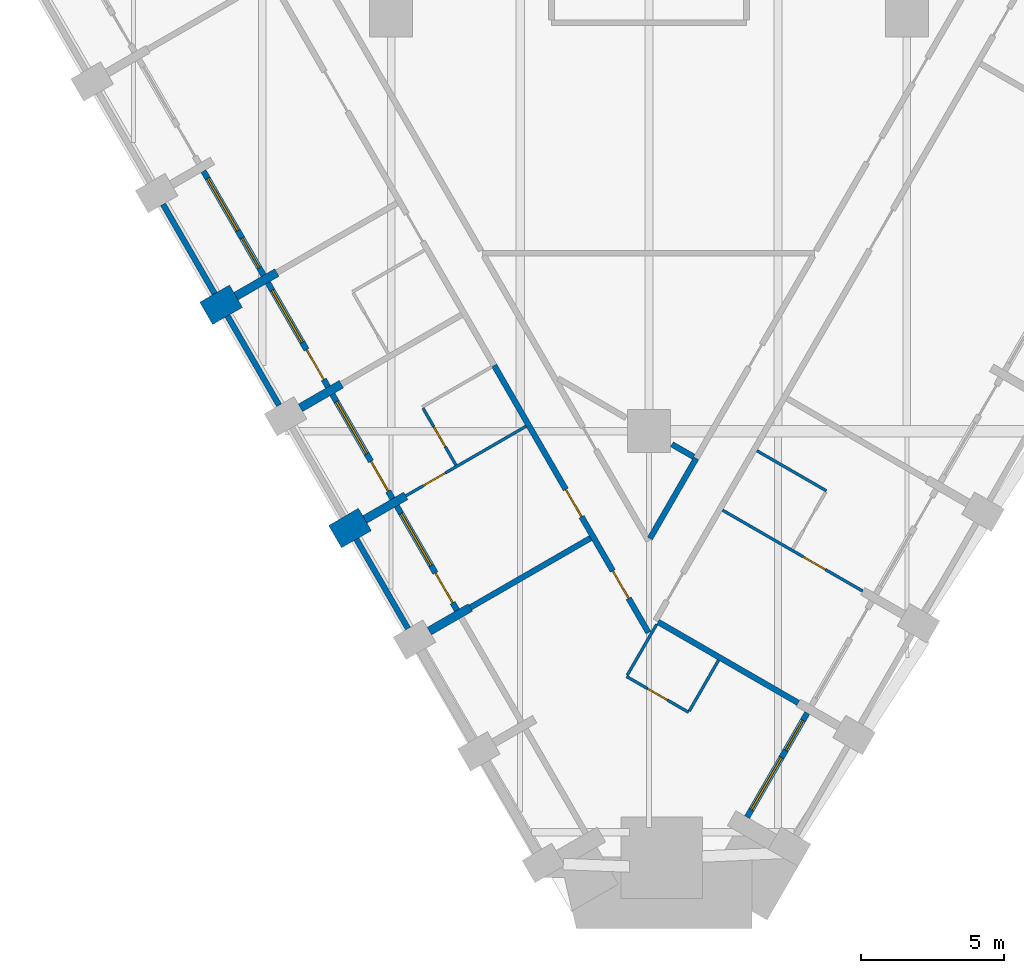
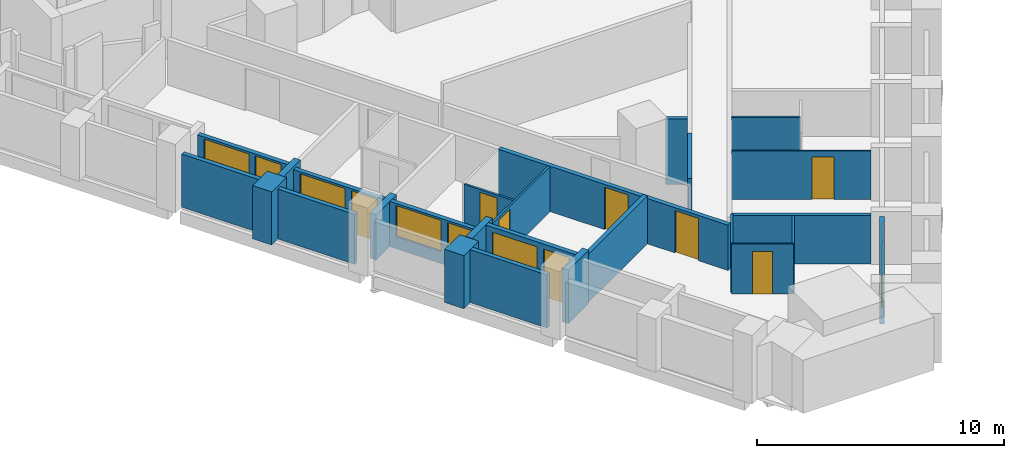
# One storey, part 3 of 11: 26 walls, 11 doors, 5 windows, 16 openings.
"""IFC4 building model written with IfcOpenShell, lengths in metres."""

from ifc_helpers import new_model, si_unit, direction, frame, frame_2d, origin, place, context, subcontext, project, spatial, rectangle, extrude, material, layer, layer_set, type_object, element, fill, save


model = new_model("IFC4")

# Units and contexts
model_context = context("Model", 3, precision=1e-05, world=origin(), true_north=direction((0.0, 1.0)))
body_context = subcontext(model_context, "Body", "Model", "MODEL_VIEW")
ifc_project = project(units=[si_unit("LENGTHUNIT", "METRE"), si_unit("AREAUNIT", "SQUARE_METRE"), si_unit("VOLUMEUNIT", "CUBIC_METRE"), si_unit("PLANEANGLEUNIT", "RADIAN"), si_unit("MASSUNIT", "GRAM", prefix="KILO")], contexts=[model_context])

# Site, building, storey
site_placement = place(None, origin())
site = spatial("IfcSite", under=ifc_project, at=site_placement, CompositionType="ELEMENT")
building_placement = place(site_placement, origin())
building = spatial("IfcBuilding", under=site, at=building_placement, Name="Calabash Gate Tower", CompositionType="ELEMENT")
storey_placement = place(building_placement, frame((0.0, 0.0, 125.800048828125)))
storey = spatial("IfcBuildingStorey", under=building, at=storey_placement, Name="L29", CompositionType="ELEMENT", Elevation=125.800048828125)

# Walls
ifc_material_1 = material(Name="Terracotta brick masonry, exposed face", Category="masonry")
ifc_layer_1 = layer(ifc_material_1, 1.199951171875)
ifc_layer_set_1 = layer_set([ifc_layer_1], Name="Brick end wall 1200")
wall_type_1 = type_object("IfcWallType", Name="Brick end wall 1200", PredefinedType="SOLIDWALL", material=ifc_layer_set_1)
for number, where, z_axis, x_axis, name in (
    (1, (-15.457763671875, -7.89111328125, 0.0), (0.0, 0.0, 1.0), (0.866043267704, 0.499969057507, 0.0), "Brick pier S08 SW0.5"),
    (2, (-10.957763671875, -15.685302734375, 0.0), (0.0, 0.0, 1.0), (0.866043267704, 0.499969057507, 0.0), "Brick pier S08 SW0.7"),
):
    element("IfcWall", number, at=place(storey_placement, frame(where, z_axis=z_axis, x_axis=x_axis)), inside=storey, type_object=wall_type_1, Name=name, PredefinedType="SOLIDWALL", context=body_context, shape_type="SweptSolid", body=[
        extrude(rectangle(XDim=1.19970703125, YDim=0.89990234375, at=frame_2d((0.599853515625, 0.0))), origin(), (0.0, 0.0, 1.0), 2.6298828125),
    ])
ifc_material_2 = material(Name="Terracotta brick masonry, exposed face", Category="masonry")
ifc_layer_2 = layer(ifc_material_2, 0.300048828125)
ifc_layer_set_2 = layer_set([ifc_layer_2], Name="Brick loggia cheek wall 300")
wall_type_2 = type_object("IfcWallType", Name="Brick loggia cheek wall 300", PredefinedType="SOLIDWALL", material=ifc_layer_set_2)
wall_1_placement = place(storey_placement, frame((-14.418701171875, -7.291259765625, 0.0), z_axis=(0.0, 0.0, 1.0), x_axis=(0.865976140824, 0.500085316245, 0.0)))
element("IfcWall", 3, at=wall_1_placement, inside=storey, type_object=wall_type_2, Name="Loggia cheek S08 SW0.5", PredefinedType="SOLIDWALL", context=body_context, shape_type="SweptSolid", body=[
    extrude(rectangle(XDim=1.650146484375, YDim=0.300048828125, at=frame_2d((0.8251953125, 0.0))), origin(), (0.0, 0.0, 1.0), 2.384033203125),
])
wall_2_placement = place(storey_placement, frame((-12.168212890625, -11.188232421875, 0.0), z_axis=(0.0, 0.0, 1.0), x_axis=(0.865966208357, 0.500102515474, 0.0)))
element("IfcWall", 4, at=wall_2_placement, inside=storey, type_object=wall_type_2, Name="Loggia cheek S08 SW0.6", PredefinedType="SOLIDWALL", context=body_context, shape_type="SweptSolid", body=[
    extrude(rectangle(XDim=1.649658203125, YDim=0.300048828125, at=frame_2d((0.82470703125, 0.0))), origin(), (0.0, 0.0, 1.0), 2.24169921875),
])
wall_3_placement = place(storey_placement, frame((-9.918701171875, -15.08544921875, 0.0), z_axis=(0.0, 0.0, 1.0), x_axis=(0.866040211805, 0.499974350878, 0.0)))
element("IfcWall", 5, at=wall_3_placement, inside=storey, type_object=wall_type_2, Name="Loggia cheek S08 SW0.7", PredefinedType="SOLIDWALL", context=body_context, shape_type="SweptSolid", body=[
    extrude(rectangle(XDim=1.64990234375, YDim=0.300048828125, at=frame_2d((0.824951171875, 0.0))), origin(), (0.0, 0.0, 1.0), 2.64990234375),
])
wall_4_placement = place(storey_placement, frame((-6.23974609375, -18.157470703125, 0.0), z_axis=(0.0, 0.0, 1.0), x_axis=(-0.866030301974, -0.499991515992, 0.0)))
element("IfcWall", 6, at=wall_4_placement, inside=storey, type_object=wall_type_2, Name="Loggia cheek S08 SW0.8", PredefinedType="SOLIDWALL", context=body_context, shape_type="SweptSolid", body=[
    extrude(rectangle(XDim=1.6494140625, YDim=0.300048828125, at=frame_2d((0.82470703125, 0.0))), origin(), (0.0, 0.0, 1.0), 2.64990234375),
])
ifc_material_3 = material(Name="Gypsum board on steel studs, mineral wool", Category="steel")
ifc_layer_3 = layer(ifc_material_3, 0.10009765625)
ifc_layer_set_3 = layer_set([ifc_layer_3], Name="Partition 100 gypsum board")
wall_type_3 = type_object("IfcWallType", Name="Partition 100 gypsum board", PredefinedType="PARTITIONING", material=ifc_layer_set_3)
wall_5_placement = place(storey_placement, frame((1.4052734375, -21.77197265625, 0.0), z_axis=(0.0, 0.0, 1.0), x_axis=(0.499265284884, 0.866449176415, 0.0)))
element("IfcWall", 7, at=wall_5_placement, inside=storey, type_object=wall_type_3, Name="Partition", PredefinedType="PARTITIONING", context=body_context, shape_type="SweptSolid", body=[
    extrude(rectangle(XDim=2.0498046875, YDim=0.10009765625, at=frame_2d((1.02490234375, 0.0))), origin(), (0.0, 0.0, 1.0), 2.384033203125),
])

# Wall, opening, door
wall_6_placement = place(storey_placement, frame((-0.784912109375, -20.565185546875, 0.0), z_axis=(0.0, 0.0, 1.0), x_axis=(0.866022959057, -0.500004234368, 0.0)))
wall_6 = element("IfcWall", 8, at=wall_6_placement, inside=storey, type_object=wall_type_3, Name="Partition", PredefinedType="PARTITIONING", context=body_context, shape_type="SweptSolid", body=[
    extrude(rectangle(XDim=2.5, YDim=0.10009765625, at=frame_2d((1.25, 0.0))), origin(), (0.0, 0.0, 1.0), 2.473388671875),
])
opening_1_placement = place(wall_6_placement, frame((0.85009765625, 0.0, 0.0)))
opening_1 = element("IfcOpeningElement", 9, at=opening_1_placement, cuts=wall_6, Name="Opening 28-30-015", PredefinedType="OPENING", context=body_context, shape_type="SweptSolid", body=[
    extrude(rectangle(XDim=0.800048828125, YDim=2.10009765625, at=frame_2d((0.39990234375, 1.050048828125))), frame((0.0, 0.06005859375, 0.0), z_axis=(0.0, -1.0, 0.0), x_axis=(1.0, 0.0, 0.0)), (0.0, 0.0, 1.0), 0.1201171875),
])
ifc_material_4 = material(Name="Painted timber door", Category="wood")
door_type_1 = type_object("IfcDoorType", Name="GD5 En-suite door 800x2100", OperationType="NOTDEFINED", PredefinedType="DOOR", material=ifc_material_4)
door_1_placement = place(opening_1_placement, origin())
door_1 = element("IfcDoor", 10, at=door_1_placement, inside=storey, type_object=door_type_1, Name="En-suite door", OperationType="SINGLE_SWING_LEFT", OverallHeight=2.10009765625, OverallWidth=0.800048828125, PredefinedType="DOOR", context=body_context, shape_type="SweptSolid", body=[
    extrude(rectangle(XDim=0.800048828125, YDim=2.10009765625, at=frame_2d((0.39990234375, 1.050048828125))), frame((0.0, 0.02490234375, 0.0), z_axis=(0.0, -1.0, 0.0), x_axis=(1.0, 0.0, 0.0)), (0.0, 0.0, 1.0), 0.050048828125),
])
fill(opening_1, door_1)

# Wall
wall_7_placement = place(storey_placement, frame((-0.759765625, -20.52197265625, 0.0), z_axis=(0.0, 0.0, 1.0), x_axis=(0.500646589026, 0.865651773461, 0.0)))
element("IfcWall", 11, at=wall_7_placement, inside=storey, type_object=wall_type_3, Name="Partition", PredefinedType="PARTITIONING", context=body_context, shape_type="SweptSolid", body=[
    extrude(rectangle(XDim=2.050048828125, YDim=0.10009765625, at=frame_2d((1.02490234375, 0.0))), origin(), (0.0, 0.0, 1.0), 2.473388671875),
])

# Wall, opening, door
wall_8_placement = place(storey_placement, frame((2.566162109375, -14.760498046875, 0.0), z_axis=(0.0, 0.0, 1.0), x_axis=(0.866019355129, -0.500010476433, 0.0)))
wall_8 = element("IfcWall", 12, at=wall_8_placement, inside=storey, type_object=wall_type_3, Name="Partition", PredefinedType="PARTITIONING", context=body_context, shape_type="SweptSolid", body=[
    extrude(rectangle(XDim=5.64990234375, YDim=0.10009765625, at=frame_2d((2.824951171875, 0.0))), origin(), (0.0, 0.0, 1.0), 2.384033203125),
])
opening_2_placement = place(wall_8_placement, frame((3.249755859375, 0.0, 0.0)))
opening_2 = element("IfcOpeningElement", 13, at=opening_2_placement, cuts=wall_8, Name="Opening 28-30-008", PredefinedType="OPENING", context=body_context, shape_type="SweptSolid", body=[
    extrude(rectangle(XDim=0.89990234375, YDim=2.10009765625, at=frame_2d((0.449951171875, 1.050048828125))), frame((0.0, 0.06005859375, 0.0), z_axis=(0.0, -1.0, 0.0), x_axis=(1.0, 0.0, 0.0)), (0.0, 0.0, 1.0), 0.1201171875),
])
ifc_material_5 = material(Name="Painted timber door", Category="wood")
door_type_2 = type_object("IfcDoorType", Name="GD7 Suite room door 900x2100", OperationType="NOTDEFINED", PredefinedType="DOOR", material=ifc_material_5)
door_2_placement = place(opening_2_placement, origin())
door_2 = element("IfcDoor", 14, at=door_2_placement, inside=storey, type_object=door_type_2, Name="Suite room door", OperationType="SINGLE_SWING_RIGHT", OverallHeight=2.10009765625, OverallWidth=0.89990234375, PredefinedType="DOOR", context=body_context, shape_type="SweptSolid", body=[
    extrude(rectangle(XDim=0.89990234375, YDim=2.10009765625, at=frame_2d((0.449951171875, 1.050048828125))), frame((0.0, 0.02490234375, 0.0), z_axis=(0.0, -1.0, 0.0), x_axis=(1.0, 0.0, 0.0)), (0.0, 0.0, 1.0), 0.050048828125),
])
fill(opening_2, door_2)

wall_9_placement = place(storey_placement, frame((-8.48974609375, -14.26025390625, 0.0), z_axis=(0.0, 0.0, 1.0), x_axis=(0.86557903767, 0.500772333047, 0.0)))
wall_9 = element("IfcWall", 15, at=wall_9_placement, inside=storey, type_object=wall_type_3, Name="Partition", PredefinedType="PARTITIONING", context=body_context, shape_type="SweptSolid", body=[
    extrude(rectangle(XDim=4.849853515625, YDim=0.10009765625, at=frame_2d((2.4248046875, 0.0))), origin(), (0.0, 0.0, 1.0), 2.24169921875),
])
opening_3_placement = place(wall_9_placement, frame((0.699951171875, 0.0, 0.0)))
opening_3 = element("IfcOpeningElement", 16, at=opening_3_placement, cuts=wall_9, Name="Opening 28-30-005", PredefinedType="OPENING", context=body_context, shape_type="SweptSolid", body=[
    extrude(rectangle(XDim=0.89990234375, YDim=2.10009765625, at=frame_2d((0.449951171875, 1.050048828125))), frame((0.0, 0.06005859375, 0.0), z_axis=(0.0, -1.0, 0.0), x_axis=(1.0, 0.0, 0.0)), (0.0, 0.0, 1.0), 0.1201171875),
])
door_3_placement = place(opening_3_placement, origin())
door_3 = element("IfcDoor", 17, at=door_3_placement, inside=storey, type_object=door_type_2, Name="Suite room door", OperationType="SINGLE_SWING_LEFT", OverallHeight=2.10009765625, OverallWidth=0.89990234375, PredefinedType="DOOR", context=body_context, shape_type="SweptSolid", body=[
    extrude(rectangle(XDim=0.89990234375, YDim=2.10009765625, at=frame_2d((0.449951171875, 1.050048828125))), frame((0.0, 0.02490234375, 0.0), z_axis=(0.0, -1.0, 0.0), x_axis=(1.0, 0.0, 0.0)), (0.0, 0.0, 1.0), 0.050048828125),
])
fill(opening_3, door_3)

# Wall
wall_10_placement = place(storey_placement, frame((3.764404296875, -12.685302734375, 0.0), z_axis=(0.0, 0.0, 1.0), x_axis=(0.866326367614, -0.499478352661, 0.0)))
element("IfcWall", 18, at=wall_10_placement, inside=storey, type_object=wall_type_3, Name="Partition", PredefinedType="PARTITIONING", context=body_context, shape_type="SweptSolid", body=[
    extrude(rectangle(XDim=2.7998046875, YDim=0.10009765625, at=frame_2d((1.39990234375, 0.0))), origin(), (0.0, 0.0, 1.0), 2.384033203125),
])

# Wall, opening, door
wall_11_placement = place(storey_placement, frame((-7.889404296875, -11.2001953125, 0.0), z_axis=(0.0, 0.0, 1.0), x_axis=(0.500697021662, -0.865622603967, 0.0)))
wall_11 = element("IfcWall", 19, at=wall_11_placement, inside=storey, type_object=wall_type_3, Name="Partition", PredefinedType="PARTITIONING", context=body_context, shape_type="SweptSolid", body=[
    extrude(rectangle(XDim=2.298095703125, YDim=0.10009765625, at=frame_2d((1.14892578125, 0.0))), origin(), (0.0, 0.0, 1.0), 2.24169921875),
])
opening_4_placement = place(wall_11_placement, frame((0.75, 0.0, 0.0)))
opening_4 = element("IfcOpeningElement", 20, at=opening_4_placement, cuts=wall_11, Name="Opening 28-30-006", PredefinedType="OPENING", context=body_context, shape_type="SweptSolid", body=[
    extrude(rectangle(XDim=0.800048828125, YDim=2.10009765625, at=frame_2d((0.39990234375, 1.050048828125))), frame((0.0, 0.06005859375, 0.0), z_axis=(0.0, -1.0, 0.0), x_axis=(1.0, 0.0, 0.0)), (0.0, 0.0, 1.0), 0.1201171875),
])
door_4_placement = place(opening_4_placement, origin())
door_4 = element("IfcDoor", 21, at=door_4_placement, inside=storey, type_object=door_type_1, Name="En-suite door", OperationType="SINGLE_SWING_LEFT", OverallHeight=2.10009765625, OverallWidth=0.800048828125, PredefinedType="DOOR", context=body_context, shape_type="SweptSolid", body=[
    extrude(rectangle(XDim=0.800048828125, YDim=2.10009765625, at=frame_2d((0.39990234375, 1.050048828125))), frame((0.0, 0.02490234375, 0.0), z_axis=(0.0, -1.0, 0.0), x_axis=(1.0, 0.0, 0.0)), (0.0, 0.0, 1.0), 0.050048828125),
])
fill(opening_4, door_4)

# Wall, openings, doors
ifc_material_6 = material(Name="Gypsum board on steel studs, mineral wool", Category="steel")
ifc_layer_4 = layer(ifc_material_6, 0.199951171875)
ifc_layer_set_4 = layer_set([ifc_layer_4], Name="Partition 200 gypsum board EI 60")
wall_type_4 = type_object("IfcWallType", Name="Partition 200 gypsum board EI 60", PredefinedType="PARTITIONING", material=ifc_layer_set_4)
wall_12_placement = place(storey_placement, frame((-5.404541015625, -9.7080078125, 0.0), z_axis=(0.0, 0.0, 1.0), x_axis=(0.500010215181, -0.866019505967, 0.0)))
wall_12 = element("IfcWall", 22, at=wall_12_placement, inside=storey, type_object=wall_type_4, Name="Partition", PredefinedType="PARTITIONING", context=body_context, shape_type="SweptSolid", body=[
    extrude(rectangle(XDim=10.771240234375, YDim=0.199951171875, at=frame_2d((5.3857421875, 0.0))), origin(), (0.0, 0.0, 1.0), 2.24169921875),
])
opening_5_placement = place(wall_12_placement, frame((5.0, 0.0, 0.0)))
opening_5 = element("IfcOpeningElement", 23, at=opening_5_placement, cuts=wall_12, Name="Opening 28-30-004", PredefinedType="OPENING", context=body_context, shape_type="SweptSolid", body=[
    extrude(rectangle(XDim=1.10009765625, YDim=2.10009765625, at=frame_2d((0.550048828125, 1.050048828125))), frame((0.0, 0.10986328125, 0.0), z_axis=(0.0, -1.0, 0.0), x_axis=(1.0, 0.0, 0.0)), (0.0, 0.0, 1.0), 0.219970703125),
])
opening_6_placement = place(wall_12_placement, frame((8.28564453125, 0.0, 0.0)))
opening_6 = element("IfcOpeningElement", 24, at=opening_6_placement, cuts=wall_12, Name="Opening 28-30-024", PredefinedType="OPENING", context=body_context, shape_type="SweptSolid", body=[
    extrude(rectangle(XDim=1.10009765625, YDim=2.10009765625, at=frame_2d((0.550048828125, 1.050048828125))), frame((0.0, 0.10986328125, 0.0), z_axis=(0.0, -1.0, 0.0), x_axis=(1.0, 0.0, 0.0)), (0.0, 0.0, 1.0), 0.219970703125),
])
ifc_material_7 = material(Name="Steel fire door set with fire-resisting glazing", Category="steel")
door_type_3 = type_object("IfcDoorType", Name="GD3 Suite entrance door 1100x2100", OperationType="NOTDEFINED", PredefinedType="DOOR", material=ifc_material_7)
door_5_placement = place(opening_5_placement, origin())
door_5 = element("IfcDoor", 25, at=door_5_placement, inside=storey, type_object=door_type_3, Name="Suite entrance door", OperationType="SINGLE_SWING_LEFT", OverallHeight=2.10009765625, OverallWidth=1.10009765625, PredefinedType="DOOR", context=body_context, shape_type="SweptSolid", body=[
    extrude(rectangle(XDim=1.10009765625, YDim=2.10009765625, at=frame_2d((0.550048828125, 1.050048828125))), frame((0.0, 0.02490234375, 0.0), z_axis=(0.0, -1.0, 0.0), x_axis=(1.0, 0.0, 0.0)), (0.0, 0.0, 1.0), 0.050048828125),
])
fill(opening_5, door_5)
door_6_placement = place(opening_6_placement, origin())
door_6 = element("IfcDoor", 26, at=door_6_placement, inside=storey, type_object=door_type_3, Name="Suite entrance door", OperationType="SINGLE_SWING_LEFT", OverallHeight=2.10009765625, OverallWidth=1.10009765625, PredefinedType="DOOR", context=body_context, shape_type="SweptSolid", body=[
    extrude(rectangle(XDim=1.10009765625, YDim=2.10009765625, at=frame_2d((0.550048828125, 1.050048828125))), frame((0.0, 0.02490234375, 0.0), z_axis=(0.0, -1.0, 0.0), x_axis=(1.0, 0.0, 0.0)), (0.0, 0.0, 1.0), 0.050048828125),
])
fill(opening_6, door_6)

# Walls
wall_13_placement = place(storey_placement, frame((0.314453125, -18.661376953125, 0.0), z_axis=(0.0, 0.0, 1.0), x_axis=(0.866027263711, -0.4999967785, 0.0)))
element("IfcWall", 27, at=wall_13_placement, inside=storey, type_object=wall_type_4, Name="Partition", PredefinedType="PARTITIONING", context=body_context, shape_type="SweptSolid", body=[
    extrude(rectangle(XDim=5.6494140625, YDim=0.199951171875, at=frame_2d((2.82470703125, 0.0))), origin(), (0.0, 0.0, 1.0), 2.384033203125),
])
wall_14_placement = place(storey_placement, frame((-6.239501953125, -18.157958984375, 0.0), z_axis=(0.0, 0.0, 1.0), x_axis=(0.866175528751, 0.499739885733, 0.0)))
element("IfcWall", 28, at=wall_14_placement, inside=storey, type_object=wall_type_4, Name="Partition", PredefinedType="PARTITIONING", context=body_context, shape_type="SweptSolid", body=[
    extrude(rectangle(XDim=4.849609375, YDim=0.199951171875, at=frame_2d((2.4248046875, 0.0))), origin(), (0.0, 0.0, 1.0), 2.384033203125),
])
wall_15_placement = place(storey_placement, frame((0.03271484375, -15.747802734375, 0.0), z_axis=(0.0, 0.0, 1.0), x_axis=(0.50002566634, 0.866010584809, 0.0)))
element("IfcWall", 29, at=wall_15_placement, inside=storey, type_object=wall_type_4, Name="Partition", PredefinedType="PARTITIONING", context=body_context, shape_type="SweptSolid", body=[
    extrude(rectangle(XDim=3.229248046875, YDim=0.199951171875, at=frame_2d((1.61474609375, 0.0))), origin(), (0.0, 0.0, 1.0), 2.473388671875),
])
wall_16_placement = place(storey_placement, frame((0.800048828125, -12.461669921875, 0.0), z_axis=(0.0, 0.0, 1.0), x_axis=(0.866903294585, -0.498476356347, 0.0)))
element("IfcWall", 30, at=wall_16_placement, inside=storey, type_object=wall_type_4, Name="Partition", PredefinedType="PARTITIONING", context=body_context, shape_type="SweptSolid", body=[
    extrude(rectangle(XDim=0.876708984375, YDim=0.199951171875, at=frame_2d((0.4384765625, 0.0))), origin(), (0.0, 0.0, 1.0), 3.22998046875),
])
ifc_material_8 = material(Name="Terracotta brick masonry, perforated", Category="masonry")
ifc_layer_5 = layer(ifc_material_8, 0.199951171875)
ifc_layer_set_5 = layer_set([ifc_layer_5], Name="Terracotta jaali screen B")
wall_type_5 = type_object("IfcWallType", Name="Terracotta jaali screen B", PredefinedType="SOLIDWALL", material=ifc_layer_set_5)
wall_17_placement = place(storey_placement, frame((-16.963134765625, -4.083740234375, 0.0), z_axis=(0.0, 0.0, 1.0), x_axis=(0.500012057535, -0.866018442252, 0.0)))
element("IfcWall", 31, at=wall_17_placement, inside=storey, type_object=wall_type_5, Name="SCREEN B S08 SW0.5", PredefinedType="SOLIDWALL", context=body_context, shape_type="SweptSolid", body=[
    extrude(rectangle(XDim=3.60009765625, YDim=0.199951171875, at=frame_2d((1.800048828125, 0.0))), origin(), (0.0, 0.0, 1.0), 2.6298828125),
])
wall_18_placement = place(storey_placement, frame((-14.713134765625, -7.98095703125, 0.0), z_axis=(0.0, 0.0, 1.0), x_axis=(0.500012057535, -0.866018442252, 0.0)))
element("IfcWall", 32, at=wall_18_placement, inside=storey, type_object=wall_type_5, Name="SCREEN B S08 SW0.6", PredefinedType="SOLIDWALL", context=body_context, shape_type="SweptSolid", body=[
    extrude(rectangle(XDim=3.60009765625, YDim=0.199951171875, at=frame_2d((1.800048828125, 0.0))), origin(), (0.0, 0.0, 1.0), 2.473388671875),
])
wall_19_placement = place(storey_placement, frame((-10.213134765625, -15.775146484375, 0.0), z_axis=(0.0, 0.0, 1.0), x_axis=(0.500012057535, -0.866018442252, 0.0)))
element("IfcWall", 33, at=wall_19_placement, inside=storey, type_object=wall_type_5, Name="SCREEN B S08 SW0.8", PredefinedType="SOLIDWALL", context=body_context, shape_type="SweptSolid", body=[
    extrude(rectangle(XDim=3.60009765625, YDim=0.199951171875, at=frame_2d((1.800048828125, 0.0))), origin(), (0.0, 0.0, 1.0), 2.6298828125),
])

# Wall, openings, door, window
ifc_material_9 = material(Name="Aluminium framed window wall with insulated spandrel", Category="aluminium")
ifc_layer_6 = layer(ifc_material_9, 0.199951171875)
ifc_layer_set_6 = layer_set([ifc_layer_6], Name="Window wall 200")
wall_type_6 = type_object("IfcWallType", Name="Window wall 200", PredefinedType="ELEMENTEDWALL", material=ifc_layer_set_6)
wall_20_placement = place(storey_placement, frame((-15.554443359375, -2.923828125, 0.0), z_axis=(0.0, 0.0, 1.0), x_axis=(0.500002543286, -0.866023935413, 0.0)))
wall_20 = element("IfcWall", 34, at=wall_20_placement, inside=storey, type_object=wall_type_6, Name="Window wall S08 SW0.5", PredefinedType="ELEMENTEDWALL", context=body_context, shape_type="SweptSolid", body=[
    extrude(rectangle(XDim=4.2001953125, YDim=0.199951171875, at=frame_2d((2.10009765625, 0.0))), origin(), (0.0, 0.0, 1.0), 2.384033203125),
])
opening_7_placement = place(wall_20_placement, frame((0.300048828125, 0.0, 0.60009765625)))
opening_7 = element("IfcOpeningElement", 35, at=opening_7_placement, cuts=wall_20, Name="Opening HW1L-1680", PredefinedType="OPENING", context=body_context, shape_type="SweptSolid", body=[
    extrude(rectangle(XDim=2.10009765625, YDim=1.679931640625, at=frame_2d((1.050048828125, 0.83984375))), frame((0.0, 0.10986328125, 0.0), z_axis=(0.0, -1.0, 0.0), x_axis=(1.0, 0.0, 0.0)), (0.0, 0.0, 1.0), 0.219970703125),
])
opening_8_placement = place(wall_20_placement, frame((2.699951171875, 0.0, 0.0)))
opening_8 = element("IfcOpeningElement", 36, at=opening_8_placement, cuts=wall_20, Name="Opening H8-030", PredefinedType="OPENING", context=body_context, shape_type="SweptSolid", body=[
    extrude(rectangle(XDim=1.199951171875, YDim=2.280029296875, at=frame_2d((0.60009765625, 1.14013671875))), frame((0.0, 0.10986328125, 0.0), z_axis=(0.0, -1.0, 0.0), x_axis=(1.0, 0.0, 0.0)), (0.0, 0.0, 1.0), 0.219970703125),
])
ifc_material_10 = material(Name="Anodised aluminium frame, bronze finish, impact-rated laminated clear glazing", Category="aluminium")
door_type_4 = type_object("IfcDoorType", Name="Loggia door DH1L-2280 1200x2280", OperationType="SLIDING_TO_LEFT", PredefinedType="DOOR", material=ifc_material_10)
door_7_placement = place(opening_8_placement, origin())
door_7 = element("IfcDoor", 37, at=door_7_placement, inside=storey, type_object=door_type_4, Name="Loggia door S08 SW0.5", OperationType="SINGLE_SWING_LEFT", OverallHeight=2.280029296875, OverallWidth=1.199951171875, PredefinedType="DOOR", context=body_context, shape_type="SweptSolid", body=[
    extrude(rectangle(XDim=1.199951171875, YDim=2.280029296875, at=frame_2d((0.60009765625, 1.14013671875))), frame((0.0, 0.02490234375, 0.0), z_axis=(0.0, -1.0, 0.0), x_axis=(1.0, 0.0, 0.0)), (0.0, 0.0, 1.0), 0.050048828125),
])
fill(opening_8, door_7)
ifc_material_11 = material(Name="Anodised aluminium frame, bronze finish, impact-rated laminated clear glazing", Category="aluminium")
window_type_1 = type_object("IfcWindowType", Name="Window HW1L 2100x1680", PartitioningType="DOUBLE_PANEL_VERTICAL", PredefinedType="WINDOW", material=ifc_material_11)
window_1_placement = place(opening_7_placement, origin())
window_1 = element("IfcWindow", 38, at=window_1_placement, inside=storey, type_object=window_type_1, Name="Window HW1 S08 SW0.5", OverallHeight=1.679931640625, OverallWidth=2.10009765625, PartitioningType="SINGLE_PANEL", PredefinedType="WINDOW", context=body_context, shape_type="SweptSolid", body=[
    extrude(rectangle(XDim=2.10009765625, YDim=1.679931640625, at=frame_2d((1.050048828125, 0.83984375))), frame((0.0, 0.030029296875, 0.0), z_axis=(0.0, -1.0, 0.0), x_axis=(1.0, 0.0, 0.0)), (0.0, 0.0, 1.0), 0.06005859375),
])
fill(opening_7, window_1)

wall_21_placement = place(storey_placement, frame((-13.304443359375, -6.821044921875, 0.0), z_axis=(0.0, 0.0, 1.0), x_axis=(0.500027713859, -0.866009402589, 0.0)))
wall_21 = element("IfcWall", 39, at=wall_21_placement, inside=storey, type_object=wall_type_6, Name="Window wall S08 SW0.6", PredefinedType="ELEMENTEDWALL", context=body_context, shape_type="SweptSolid", body=[
    extrude(rectangle(XDim=4.199951171875, YDim=0.199951171875, at=frame_2d((2.10009765625, 0.0))), origin(), (0.0, 0.0, 1.0), 2.24169921875),
])
opening_9_placement = place(wall_21_placement, frame((0.300048828125, 0.0, 0.60009765625)))
opening_9 = element("IfcOpeningElement", 40, at=opening_9_placement, cuts=wall_21, Name="Opening HW1L-1540", PredefinedType="OPENING", context=body_context, shape_type="SweptSolid", body=[
    extrude(rectangle(XDim=2.10009765625, YDim=1.5400390625, at=frame_2d((1.050048828125, 0.77001953125))), frame((0.0, 0.10986328125, 0.0), z_axis=(0.0, -1.0, 0.0), x_axis=(1.0, 0.0, 0.0)), (0.0, 0.0, 1.0), 0.219970703125),
])
opening_10_placement = place(wall_21_placement, frame((2.699951171875, 0.0, 0.0)))
opening_10 = element("IfcOpeningElement", 41, at=opening_10_placement, cuts=wall_21, Name="Opening H8-031", PredefinedType="OPENING", context=body_context, shape_type="SweptSolid", body=[
    extrude(rectangle(XDim=1.199951171875, YDim=2.139892578125, at=frame_2d((0.60009765625, 1.06982421875))), frame((0.0, 0.10986328125, 0.0), z_axis=(0.0, -1.0, 0.0), x_axis=(1.0, 0.0, 0.0)), (0.0, 0.0, 1.0), 0.219970703125),
])
ifc_material_12 = material(Name="Anodised aluminium frame, bronze finish, impact-rated laminated clear glazing", Category="aluminium")
door_type_5 = type_object("IfcDoorType", Name="Loggia door DH1L-2140 1200x2140", OperationType="SLIDING_TO_LEFT", PredefinedType="DOOR", material=ifc_material_12)
door_8_placement = place(opening_10_placement, origin())
door_8 = element("IfcDoor", 42, at=door_8_placement, inside=storey, type_object=door_type_5, Name="Loggia door S08 SW0.6", OperationType="SINGLE_SWING_LEFT", OverallHeight=2.139892578125, OverallWidth=1.199951171875, PredefinedType="DOOR", context=body_context, shape_type="SweptSolid", body=[
    extrude(rectangle(XDim=1.199951171875, YDim=2.139892578125, at=frame_2d((0.60009765625, 1.06982421875))), frame((0.0, 0.02490234375, 0.0), z_axis=(0.0, -1.0, 0.0), x_axis=(1.0, 0.0, 0.0)), (0.0, 0.0, 1.0), 0.050048828125),
])
fill(opening_10, door_8)
ifc_material_13 = material(Name="Anodised aluminium frame, bronze finish, impact-rated laminated clear glazing", Category="aluminium")
window_type_2 = type_object("IfcWindowType", Name="Window HW1L 2100x1540", PartitioningType="DOUBLE_PANEL_VERTICAL", PredefinedType="WINDOW", material=ifc_material_13)
window_2_placement = place(opening_9_placement, origin())
window_2 = element("IfcWindow", 43, at=window_2_placement, inside=storey, type_object=window_type_2, Name="Window HW1 S08 SW0.6", OverallHeight=1.5400390625, OverallWidth=2.10009765625, PartitioningType="SINGLE_PANEL", PredefinedType="WINDOW", context=body_context, shape_type="SweptSolid", body=[
    extrude(rectangle(XDim=2.10009765625, YDim=1.5400390625, at=frame_2d((1.050048828125, 0.77001953125))), frame((0.0, 0.030029296875, 0.0), z_axis=(0.0, -1.0, 0.0), x_axis=(1.0, 0.0, 0.0)), (0.0, 0.0, 1.0), 0.06005859375),
])
fill(opening_9, window_2)

wall_22_placement = place(storey_placement, frame((-11.054443359375, -10.71826171875, 0.0), z_axis=(0.0, 0.0, 1.0), x_axis=(0.500027713859, -0.866009402589, 0.0)))
wall_22 = element("IfcWall", 44, at=wall_22_placement, inside=storey, type_object=wall_type_6, Name="Window wall S08 SW0.7", PredefinedType="ELEMENTEDWALL", context=body_context, shape_type="SweptSolid", body=[
    extrude(rectangle(XDim=4.199951171875, YDim=0.199951171875, at=frame_2d((2.10009765625, 0.0))), origin(), (0.0, 0.0, 1.0), 2.24169921875),
])
opening_11_placement = place(wall_22_placement, frame((0.300048828125, 0.0, 0.60009765625)))
opening_11 = element("IfcOpeningElement", 45, at=opening_11_placement, cuts=wall_22, Name="Opening HW1L-1540", PredefinedType="OPENING", context=body_context, shape_type="SweptSolid", body=[
    extrude(rectangle(XDim=2.10009765625, YDim=1.5400390625, at=frame_2d((1.050048828125, 0.77001953125))), frame((0.0, 0.10986328125, 0.0), z_axis=(0.0, -1.0, 0.0), x_axis=(1.0, 0.0, 0.0)), (0.0, 0.0, 1.0), 0.219970703125),
])
opening_12_placement = place(wall_22_placement, frame((2.699951171875, 0.0, 0.0)))
opening_12 = element("IfcOpeningElement", 46, at=opening_12_placement, cuts=wall_22, Name="Opening H8-032", PredefinedType="OPENING", context=body_context, shape_type="SweptSolid", body=[
    extrude(rectangle(XDim=1.199951171875, YDim=2.139892578125, at=frame_2d((0.60009765625, 1.06982421875))), frame((0.0, 0.10986328125, 0.0), z_axis=(0.0, -1.0, 0.0), x_axis=(1.0, 0.0, 0.0)), (0.0, 0.0, 1.0), 0.219970703125),
])
door_9_placement = place(opening_12_placement, origin())
door_9 = element("IfcDoor", 47, at=door_9_placement, inside=storey, type_object=door_type_5, Name="Loggia door S08 SW0.7", OperationType="SINGLE_SWING_LEFT", OverallHeight=2.139892578125, OverallWidth=1.199951171875, PredefinedType="DOOR", context=body_context, shape_type="SweptSolid", body=[
    extrude(rectangle(XDim=1.199951171875, YDim=2.139892578125, at=frame_2d((0.60009765625, 1.06982421875))), frame((0.0, 0.02490234375, 0.0), z_axis=(0.0, -1.0, 0.0), x_axis=(1.0, 0.0, 0.0)), (0.0, 0.0, 1.0), 0.050048828125),
])
fill(opening_12, door_9)
window_3_placement = place(opening_11_placement, origin())
window_3 = element("IfcWindow", 48, at=window_3_placement, inside=storey, type_object=window_type_2, Name="Window HW1 S08 SW0.7", OverallHeight=1.5400390625, OverallWidth=2.10009765625, PartitioningType="SINGLE_PANEL", PredefinedType="WINDOW", context=body_context, shape_type="SweptSolid", body=[
    extrude(rectangle(XDim=2.10009765625, YDim=1.5400390625, at=frame_2d((1.050048828125, 0.77001953125))), frame((0.0, 0.030029296875, 0.0), z_axis=(0.0, -1.0, 0.0), x_axis=(1.0, 0.0, 0.0)), (0.0, 0.0, 1.0), 0.06005859375),
])
fill(opening_11, window_3)

wall_23_placement = place(storey_placement, frame((-8.804443359375, -14.615234375, 0.0), z_axis=(0.0, 0.0, 1.0), x_axis=(0.500002543286, -0.866023935413, 0.0)))
wall_23 = element("IfcWall", 49, at=wall_23_placement, inside=storey, type_object=wall_type_6, Name="Window wall S08 SW0.8", PredefinedType="ELEMENTEDWALL", context=body_context, shape_type="SweptSolid", body=[
    extrude(rectangle(XDim=4.2001953125, YDim=0.199951171875, at=frame_2d((2.10009765625, 0.0))), origin(), (0.0, 0.0, 1.0), 2.64990234375),
])
opening_13_placement = place(wall_23_placement, frame((0.300048828125, 0.0, 0.60009765625)))
opening_13 = element("IfcOpeningElement", 50, at=opening_13_placement, cuts=wall_23, Name="Opening HW1", PredefinedType="OPENING", context=body_context, shape_type="SweptSolid", body=[
    extrude(rectangle(XDim=2.10009765625, YDim=1.800048828125, at=frame_2d((1.050048828125, 0.89990234375))), frame((0.0, 0.10986328125, 0.0), z_axis=(0.0, -1.0, 0.0), x_axis=(1.0, 0.0, 0.0)), (0.0, 0.0, 1.0), 0.219970703125),
])
opening_14_placement = place(wall_23_placement, frame((2.699951171875, 0.0, 0.0)))
opening_14 = element("IfcOpeningElement", 51, at=opening_14_placement, cuts=wall_23, Name="Opening H8-033", PredefinedType="OPENING", context=body_context, shape_type="SweptSolid", body=[
    extrude(rectangle(XDim=1.199951171875, YDim=2.39990234375, at=frame_2d((0.60009765625, 1.199951171875))), frame((0.0, 0.10986328125, 0.0), z_axis=(0.0, -1.0, 0.0), x_axis=(1.0, 0.0, 0.0)), (0.0, 0.0, 1.0), 0.219970703125),
])
ifc_material_14 = material(Name="Anodised aluminium frame, bronze finish, impact-rated laminated clear glazing", Category="aluminium")
door_type_6 = type_object("IfcDoorType", Name="Loggia door DH1 1200x2400", OperationType="SLIDING_TO_LEFT", PredefinedType="DOOR", material=ifc_material_14)
door_10_placement = place(opening_14_placement, origin())
door_10 = element("IfcDoor", 52, at=door_10_placement, inside=storey, type_object=door_type_6, Name="Loggia door S08 SW0.8", OperationType="SINGLE_SWING_LEFT", OverallHeight=2.39990234375, OverallWidth=1.199951171875, PredefinedType="DOOR", context=body_context, shape_type="SweptSolid", body=[
    extrude(rectangle(XDim=1.199951171875, YDim=2.39990234375, at=frame_2d((0.60009765625, 1.199951171875))), frame((0.0, 0.02490234375, 0.0), z_axis=(0.0, -1.0, 0.0), x_axis=(1.0, 0.0, 0.0)), (0.0, 0.0, 1.0), 0.050048828125),
])
fill(opening_14, door_10)
ifc_material_15 = material(Name="Anodised aluminium frame, bronze finish, impact-rated laminated clear glazing", Category="aluminium")
window_type_3 = type_object("IfcWindowType", Name="Window HW1 2100x1800", PartitioningType="DOUBLE_PANEL_VERTICAL", PredefinedType="WINDOW", material=ifc_material_15)
window_4_placement = place(opening_13_placement, origin())
window_4 = element("IfcWindow", 53, at=window_4_placement, inside=storey, type_object=window_type_3, Name="Window HW1 S08 SW0.8", OverallHeight=1.800048828125, OverallWidth=2.10009765625, PartitioningType="SINGLE_PANEL", PredefinedType="WINDOW", context=body_context, shape_type="SweptSolid", body=[
    extrude(rectangle(XDim=2.10009765625, YDim=1.800048828125, at=frame_2d((1.050048828125, 0.89990234375))), frame((0.0, 0.030029296875, 0.0), z_axis=(0.0, -1.0, 0.0), x_axis=(1.0, 0.0, 0.0)), (0.0, 0.0, 1.0), 0.06005859375),
])
fill(opening_13, window_4)

wall_24_placement = place(storey_placement, frame((3.4228515625, -25.4765625, 0.0), z_axis=(0.0, 0.0, 1.0), x_axis=(0.499958946799, 0.866049104564, 0.0)))
wall_24 = element("IfcWall", 54, at=wall_24_placement, inside=storey, type_object=wall_type_6, Name="Window wall S08 SE2.1", PredefinedType="ELEMENTEDWALL", context=body_context, shape_type="SweptSolid", body=[
    extrude(rectangle(XDim=4.199951171875, YDim=0.199951171875, at=frame_2d((2.10009765625, 0.0))), origin(), (0.0, 0.0, 1.0), 2.384033203125),
])
opening_15_placement = place(wall_24_placement, frame((0.300048828125, 0.0, 0.60009765625)))
opening_15 = element("IfcOpeningElement", 55, at=opening_15_placement, cuts=wall_24, Name="Opening HW1L-1680", PredefinedType="OPENING", context=body_context, shape_type="SweptSolid", body=[
    extrude(rectangle(XDim=2.10009765625, YDim=1.679931640625, at=frame_2d((1.050048828125, 0.83984375))), frame((0.0, 0.10986328125, 0.0), z_axis=(0.0, -1.0, 0.0), x_axis=(1.0, 0.0, 0.0)), (0.0, 0.0, 1.0), 0.219970703125),
])
opening_16_placement = place(wall_24_placement, frame((2.699951171875, 0.0, 0.0)))
opening_16 = element("IfcOpeningElement", 56, at=opening_16_placement, cuts=wall_24, Name="Opening H8-018", PredefinedType="OPENING", context=body_context, shape_type="SweptSolid", body=[
    extrude(rectangle(XDim=1.199951171875, YDim=2.280029296875, at=frame_2d((0.60009765625, 1.14013671875))), frame((0.0, 0.10986328125, 0.0), z_axis=(0.0, -1.0, 0.0), x_axis=(1.0, 0.0, 0.0)), (0.0, 0.0, 1.0), 0.219970703125),
])
door_11_placement = place(opening_16_placement, origin())
door_11 = element("IfcDoor", 57, at=door_11_placement, inside=storey, type_object=door_type_4, Name="Loggia door S08 SE2.1", OperationType="SINGLE_SWING_LEFT", OverallHeight=2.280029296875, OverallWidth=1.199951171875, PredefinedType="DOOR", context=body_context, shape_type="SweptSolid", body=[
    extrude(rectangle(XDim=1.199951171875, YDim=2.280029296875, at=frame_2d((0.60009765625, 1.14013671875))), frame((0.0, 0.02490234375, 0.0), z_axis=(0.0, -1.0, 0.0), x_axis=(1.0, 0.0, 0.0)), (0.0, 0.0, 1.0), 0.050048828125),
])
fill(opening_16, door_11)
window_5_placement = place(opening_15_placement, origin())
window_5 = element("IfcWindow", 58, at=window_5_placement, inside=storey, type_object=window_type_1, Name="Window HW1 S08 SE2.1", OverallHeight=1.679931640625, OverallWidth=2.10009765625, PartitioningType="SINGLE_PANEL", PredefinedType="WINDOW", context=body_context, shape_type="SweptSolid", body=[
    extrude(rectangle(XDim=2.10009765625, YDim=1.679931640625, at=frame_2d((1.050048828125, 0.83984375))), frame((0.0, 0.030029296875, 0.0), z_axis=(0.0, -1.0, 0.0), x_axis=(1.0, 0.0, 0.0)), (0.0, 0.0, 1.0), 0.06005859375),
])
fill(opening_15, window_5)

save(model, "model.ifc")
